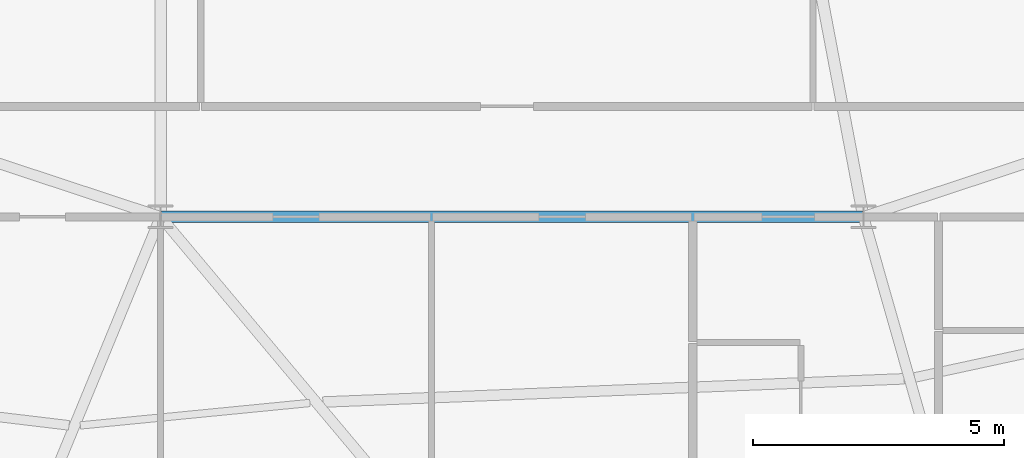
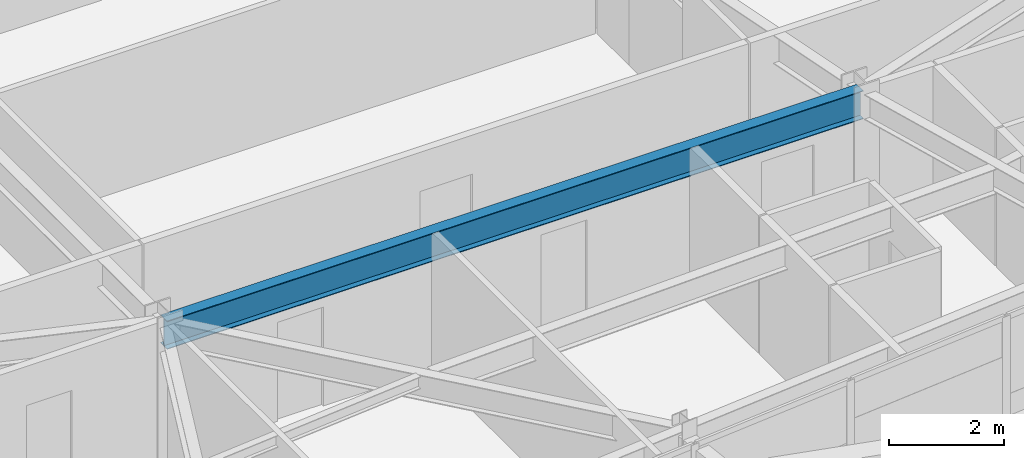
# One storey, part 12 of 54: 1 beam.
"""IFC4 building model written with IfcOpenShell, lengths in metres."""

from ifc_helpers import new_model, si_unit, direction, frame, origin, origin_2d, place, context, subcontext, project, spatial, i_section, extrude, source, transform, mapped, material, material_profile, profile_set, type_object, element, save


model = new_model("IFC4")

# Units and contexts
model_context = context("Model", 3, precision=1e-05, world=origin(), true_north=direction((0.0, 1.0)))
body_context = subcontext(model_context, "Body", "Model", "MODEL_VIEW")
ifc_project = project(units=[si_unit("LENGTHUNIT", "METRE"), si_unit("AREAUNIT", "SQUARE_METRE"), si_unit("VOLUMEUNIT", "CUBIC_METRE"), si_unit("PLANEANGLEUNIT", "RADIAN"), si_unit("MASSUNIT", "GRAM", prefix="KILO")], contexts=[model_context])

# Site, building, storey
site_placement = place(None, origin())
site = spatial("IfcSite", under=ifc_project, at=site_placement, CompositionType="ELEMENT")
building_placement = place(site_placement, origin())
building = spatial("IfcBuilding", under=site, at=building_placement, Name="Taldren Reach Tower", CompositionType="ELEMENT")
storey_placement = place(building_placement, frame((0.0, 0.0, 102.89990234375)))
storey = spatial("IfcBuildingStorey", under=building, at=storey_placement, Name="L31", CompositionType="ELEMENT", Elevation=102.89990234375)

# Beam
ifc_material = material(Name="Steel Gr 350 (350PLUS)", Category="steel")
ifc_material_profile = material_profile(ifc_material, i_section(OverallWidth=0.22802734375, OverallDepth=0.60205078125, WebThickness=0.010498046875, FlangeThickness=0.014892578125, at=origin_2d()), Name="610UB101")
ifc_profile_set = profile_set([ifc_material_profile], Name="Steel Gr 350 (350PLUS)")
beam_type = type_object("IfcBeamType", Name="BM-UB610B", PredefinedType="BEAM", material=ifc_profile_set)
shared_shape = source(origin(), body_context, "Body", "SweptSolid", [
    extrude(i_section(OverallWidth=0.22802734375, OverallDepth=0.60205078125, WebThickness=0.010498046875, FlangeThickness=0.014892578125, at=origin_2d()), origin(), (0.0, 0.0, 1.0), 14.0),
])
beam_placement = place(storey_placement, frame((28.0, 9.199951171875, 2.629150390625), z_axis=(1.0, 0.0, 0.0), x_axis=(0.0, 1.0, 0.0)))
element("IfcBeam", 1, at=beam_placement, inside=storey, type_object=beam_type, Name="Core-spine girder L31-SP11", PredefinedType="BEAM", context=body_context, shape_type="MappedRepresentation", body=[
    mapped(shared_shape, transform((0.0, 0.0, 0.0), scale=1.0)),
])

save(model, "model.ifc")
